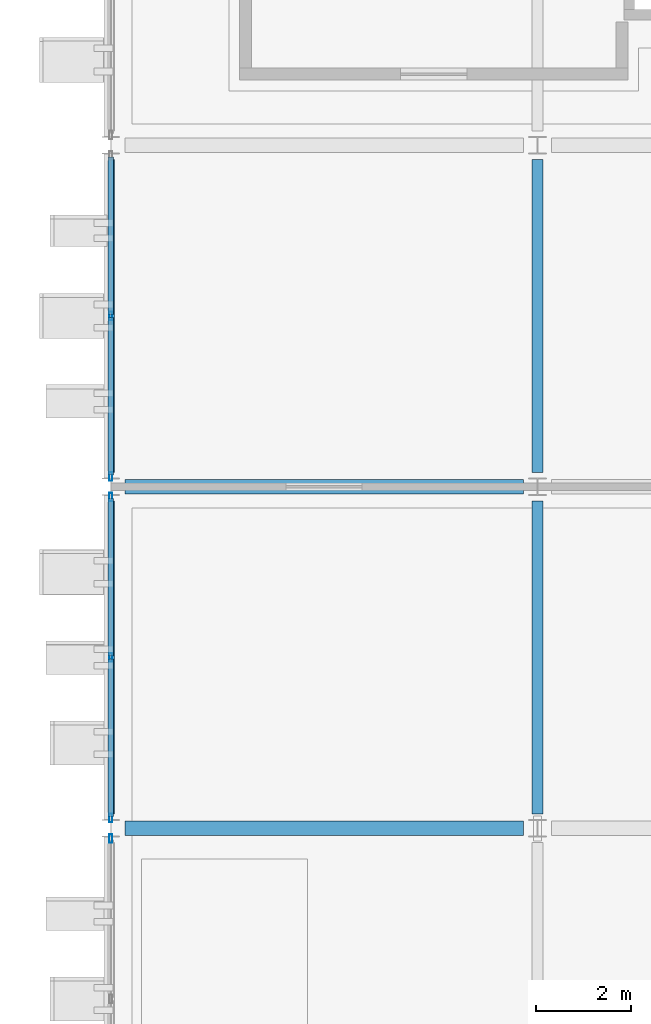
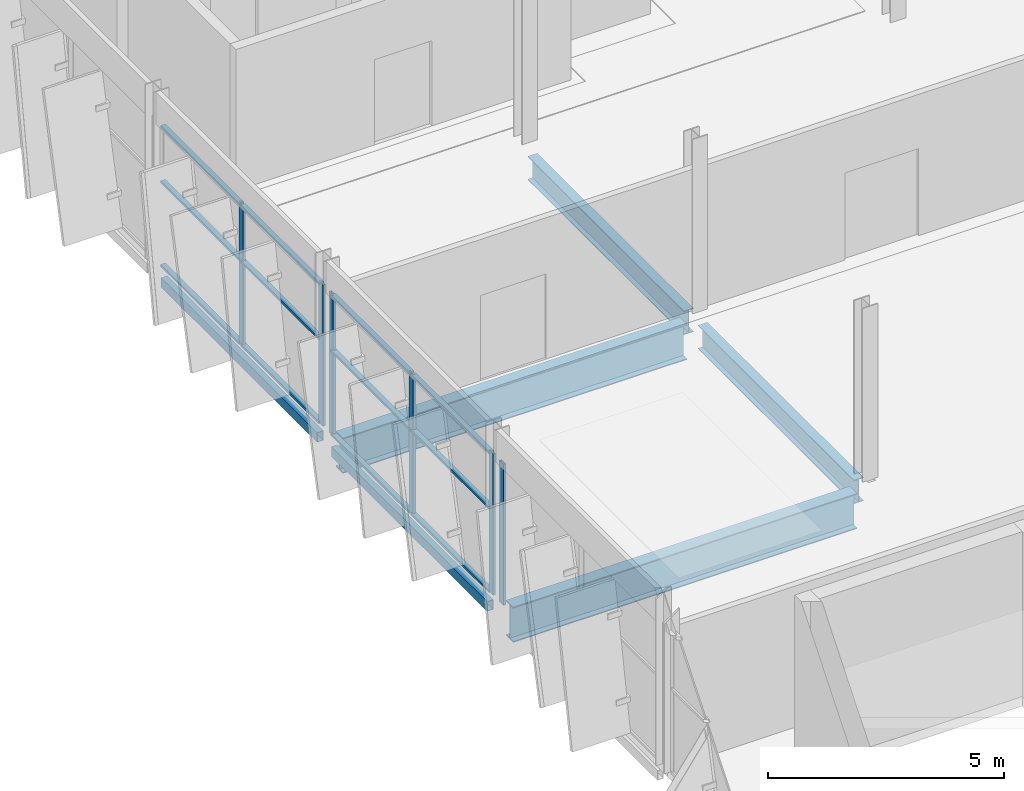
# One storey, part 28 of 78: 18 members, 6 beams, 3 elements without a shape of their own.
"""IFC4 building model written with IfcOpenShell, lengths in metres."""

from ifc_helpers import new_model, si_unit, direction, frame, origin, origin_2d, place, context, subcontext, project, spatial, hollow_rectangle, i_section, extrude, material, layer, layer_set, material_profile, profile_set, type_object, element, aggregate, save


model = new_model("IFC4")

# Units and contexts
model_context = context("Model", 3, precision=1e-05, world=origin(), true_north=direction((0.0, 1.0)))
body_context = subcontext(model_context, "Body", "Model", "MODEL_VIEW")
ifc_project = project(units=[si_unit("LENGTHUNIT", "METRE"), si_unit("AREAUNIT", "SQUARE_METRE"), si_unit("VOLUMEUNIT", "CUBIC_METRE"), si_unit("PLANEANGLEUNIT", "RADIAN"), si_unit("MASSUNIT", "GRAM", prefix="KILO")], contexts=[model_context])

# Site, building, storey
site_placement = place(None, origin())
site = spatial("IfcSite", under=ifc_project, at=site_placement, CompositionType="ELEMENT")
building_placement = place(site_placement, origin())
building = spatial("IfcBuilding", under=site, at=building_placement, Name="Celestram Park Convention Centre", CompositionType="ELEMENT")
storey_placement = place(building_placement, frame((0.0, 0.0, 19.800048828125)))
storey = spatial("IfcBuildingStorey", under=building, at=storey_placement, Name="L04", CompositionType="ELEMENT", Elevation=19.800048828125)

# Curtain wall, member
ifc_material_1 = material(Name="Anodised Aluminium Alloy 6063-T6", Category="aluminium")
ifc_layer = layer(ifc_material_1, 0.179931640625)
ifc_layer_set = layer_set([ifc_layer], Name="Anodised Aluminium Alloy 6063-T6")
curtain_wall_type = type_object("IfcCurtainWallType", Name="ARC-CW-683X365", PredefinedType="NOTDEFINED", material=ifc_layer_set)
curtain_wall_1_placement = place(storey_placement, origin())
curtain_wall_1 = element("IfcCurtainWall", 1, at=curtain_wall_1_placement, inside=storey, type_object=curtain_wall_type, Name="Unitised curtain wall CU-L04-231", PredefinedType="NOTDEFINED")
ifc_material_profile_1 = material_profile(ifc_material_1, hollow_rectangle(XDim=0.06494140625, YDim=0.179931640625, WallThickness=0.00390625, at=origin_2d()), Name="ALU65X180X4")
ifc_profile_set_1 = profile_set([ifc_material_profile_1], Name="Anodised Aluminium Alloy 6063-T6")
member_type_1 = type_object("IfcMemberType", Name="ARC-CWM-150", PredefinedType="MULLION", material=ifc_profile_set_1)
member_1_placement = place(storey_placement, frame((36.0, 129.383056640625, 0.0), z_axis=(0.0, 0.0, 1.0), x_axis=(-1.0, 0.0, 0.0)))
member_1 = element("IfcMember", 2, at=member_1_placement, type_object=member_type_1, Name="CW-68X36 mullion 3", PredefinedType="MULLION", context=body_context, shape_type="SweptSolid", body=[
    extrude(hollow_rectangle(XDim=0.06494140625, YDim=0.179931640625, WallThickness=0.00390625, at=origin_2d()), origin(), (0.0, 0.0, 1.0), 3.64794921875),
])
aggregate(curtain_wall_1, [member_1])

# Curtain wall, members
curtain_wall_2_placement = place(storey_placement, origin())
curtain_wall_2 = element("IfcCurtainWall", 3, at=curtain_wall_2_placement, inside=storey, type_object=curtain_wall_type, Name="Unitised curtain wall CU-L04-232", PredefinedType="NOTDEFINED")
member_2_placement = place(storey_placement, frame((36.0, 129.81689453125, 0.0), z_axis=(0.0, 0.0, 1.0), x_axis=(-1.0, 0.0, 0.0)))
member_2 = element("IfcMember", 4, at=member_2_placement, type_object=member_type_1, Name="CW-68X36 mullion 1", PredefinedType="MULLION", context=body_context, shape_type="SweptSolid", body=[
    extrude(hollow_rectangle(XDim=0.06494140625, YDim=0.179931640625, WallThickness=0.00390625, at=origin_2d()), origin(), (0.0, 0.0, 1.0), 3.64794921875),
])
member_3_placement = place(storey_placement, frame((36.0, 133.199951171875, 0.0), z_axis=(0.0, 0.0, 1.0), x_axis=(-1.0, 0.0, 0.0)))
member_3 = element("IfcMember", 5, at=member_3_placement, type_object=member_type_1, Name="CW-68X36 mullion 2", PredefinedType="MULLION", context=body_context, shape_type="SweptSolid", body=[
    extrude(hollow_rectangle(XDim=0.06494140625, YDim=0.179931640625, WallThickness=0.00390625, at=origin_2d()), origin(), (0.0, 0.0, 1.0), 3.64794921875),
])
member_4_placement = place(storey_placement, frame((36.0, 136.5830078125, 0.0), z_axis=(0.0, 0.0, 1.0), x_axis=(-1.0, 0.0, 0.0)))
member_4 = element("IfcMember", 6, at=member_4_placement, type_object=member_type_1, Name="CW-68X36 mullion 3", PredefinedType="MULLION", context=body_context, shape_type="SweptSolid", body=[
    extrude(hollow_rectangle(XDim=0.06494140625, YDim=0.179931640625, WallThickness=0.00390625, at=origin_2d()), origin(), (0.0, 0.0, 1.0), 3.64794921875),
])

curtain_wall_3_placement = place(storey_placement, origin())
curtain_wall_3 = element("IfcCurtainWall", 7, at=curtain_wall_3_placement, inside=storey, type_object=curtain_wall_type, Name="Unitised curtain wall CU-L04-233", PredefinedType="NOTDEFINED")
member_5_placement = place(storey_placement, frame((36.0, 137.01708984375, 0.0), z_axis=(0.0, 0.0, 1.0), x_axis=(-1.0, 0.0, 0.0)))
member_5 = element("IfcMember", 8, at=member_5_placement, type_object=member_type_1, Name="CW-68X36 mullion 1", PredefinedType="MULLION", context=body_context, shape_type="SweptSolid", body=[
    extrude(hollow_rectangle(XDim=0.06494140625, YDim=0.179931640625, WallThickness=0.00390625, at=origin_2d()), origin(), (0.0, 0.0, 1.0), 3.64794921875),
])
member_6_placement = place(storey_placement, frame((36.0, 140.39990234375, 0.0), z_axis=(0.0, 0.0, 1.0), x_axis=(-1.0, 0.0, 0.0)))
member_6 = element("IfcMember", 9, at=member_6_placement, type_object=member_type_1, Name="CW-68X36 mullion 2", PredefinedType="MULLION", context=body_context, shape_type="SweptSolid", body=[
    extrude(hollow_rectangle(XDim=0.06494140625, YDim=0.179931640625, WallThickness=0.00390625, at=origin_2d()), origin(), (0.0, 0.0, 1.0), 3.64794921875),
])

# Member
ifc_material_profile_2 = material_profile(ifc_material_1, hollow_rectangle(XDim=0.1201171875, YDim=0.06005859375, WallThickness=0.0029296875, at=origin_2d()), Name="ALU120X60X3")
ifc_profile_set_2 = profile_set([ifc_material_profile_2], Name="Anodised Aluminium Alloy 6063-T6")
member_type_2 = type_object("IfcMemberType", Name="ARC-CWT-120", PredefinedType="USERDEFINED", material=ifc_profile_set_2)
member_7_placement = place(storey_placement, frame((36.0, 129.849609375, 0.030029296875), z_axis=(0.0, 1.0, 0.0), x_axis=(-1.0, 0.0, 0.0)))
member_7 = element("IfcMember", 10, at=member_7_placement, type_object=member_type_2, Name="CW-68X36 transom 1.1", ObjectType="TRANSOM", PredefinedType="USERDEFINED", context=body_context, shape_type="SweptSolid", body=[
    extrude(hollow_rectangle(XDim=0.1201171875, YDim=0.06005859375, WallThickness=0.0029296875, at=origin_2d()), origin(), (0.0, 0.0, 1.0), 3.31787109375),
])

member_8_placement = place(storey_placement, frame((36.0, 129.849609375, 2.18896484375), z_axis=(0.0, 1.0, 0.0), x_axis=(-1.0, 0.0, 0.0)))
member_8 = element("IfcMember", 11, at=member_8_placement, type_object=member_type_2, Name="CW-68X36 transom 1.2", ObjectType="TRANSOM", PredefinedType="USERDEFINED", context=body_context, shape_type="SweptSolid", body=[
    extrude(hollow_rectangle(XDim=0.1201171875, YDim=0.06005859375, WallThickness=0.0029296875, at=origin_2d()), origin(), (0.0, 0.0, 1.0), 3.31787109375),
])

member_9_placement = place(storey_placement, frame((36.0, 129.849609375, 3.617919921875), z_axis=(0.0, 1.0, 0.0), x_axis=(-1.0, 0.0, 0.0)))
member_9 = element("IfcMember", 12, at=member_9_placement, type_object=member_type_2, Name="CW-68X36 transom 1.3", ObjectType="TRANSOM", PredefinedType="USERDEFINED", context=body_context, shape_type="SweptSolid", body=[
    extrude(hollow_rectangle(XDim=0.1201171875, YDim=0.06005859375, WallThickness=0.0029296875, at=origin_2d()), origin(), (0.0, 0.0, 1.0), 3.31787109375),
])

member_10_placement = place(storey_placement, frame((36.0, 133.232421875, 0.030029296875), z_axis=(0.0, 1.0, 0.0), x_axis=(-1.0, 0.0, 0.0)))
member_10 = element("IfcMember", 13, at=member_10_placement, type_object=member_type_2, Name="CW-68X36 transom 2.1", ObjectType="TRANSOM", PredefinedType="USERDEFINED", context=body_context, shape_type="SweptSolid", body=[
    extrude(hollow_rectangle(XDim=0.1201171875, YDim=0.06005859375, WallThickness=0.0029296875, at=origin_2d()), origin(), (0.0, 0.0, 1.0), 3.318115234375),
])

member_11_placement = place(storey_placement, frame((36.0, 133.232421875, 2.18896484375), z_axis=(0.0, 1.0, 0.0), x_axis=(-1.0, 0.0, 0.0)))
member_11 = element("IfcMember", 14, at=member_11_placement, type_object=member_type_2, Name="CW-68X36 transom 2.2", ObjectType="TRANSOM", PredefinedType="USERDEFINED", context=body_context, shape_type="SweptSolid", body=[
    extrude(hollow_rectangle(XDim=0.1201171875, YDim=0.06005859375, WallThickness=0.0029296875, at=origin_2d()), origin(), (0.0, 0.0, 1.0), 3.318115234375),
])

member_12_placement = place(storey_placement, frame((36.0, 133.232421875, 3.617919921875), z_axis=(0.0, 1.0, 0.0), x_axis=(-1.0, 0.0, 0.0)))
member_12 = element("IfcMember", 15, at=member_12_placement, type_object=member_type_2, Name="CW-68X36 transom 2.3", ObjectType="TRANSOM", PredefinedType="USERDEFINED", context=body_context, shape_type="SweptSolid", body=[
    extrude(hollow_rectangle(XDim=0.1201171875, YDim=0.06005859375, WallThickness=0.0029296875, at=origin_2d()), origin(), (0.0, 0.0, 1.0), 3.318115234375),
])

aggregate(curtain_wall_2, [member_2, member_3, member_4, member_7, member_8, member_9, member_10, member_11, member_12])

member_13_placement = place(storey_placement, frame((36.0, 137.049560546875, 0.030029296875), z_axis=(0.0, 1.0, 0.0), x_axis=(-1.0, 0.0, 0.0)))
member_13 = element("IfcMember", 16, at=member_13_placement, type_object=member_type_2, Name="CW-68X36 transom 1.1", ObjectType="TRANSOM", PredefinedType="USERDEFINED", context=body_context, shape_type="SweptSolid", body=[
    extrude(hollow_rectangle(XDim=0.1201171875, YDim=0.06005859375, WallThickness=0.0029296875, at=origin_2d()), origin(), (0.0, 0.0, 1.0), 3.31787109375),
])

member_14_placement = place(storey_placement, frame((36.0, 137.049560546875, 2.18896484375), z_axis=(0.0, 1.0, 0.0), x_axis=(-1.0, 0.0, 0.0)))
member_14 = element("IfcMember", 17, at=member_14_placement, type_object=member_type_2, Name="CW-68X36 transom 1.2", ObjectType="TRANSOM", PredefinedType="USERDEFINED", context=body_context, shape_type="SweptSolid", body=[
    extrude(hollow_rectangle(XDim=0.1201171875, YDim=0.06005859375, WallThickness=0.0029296875, at=origin_2d()), origin(), (0.0, 0.0, 1.0), 3.31787109375),
])

member_15_placement = place(storey_placement, frame((36.0, 137.049560546875, 3.617919921875), z_axis=(0.0, 1.0, 0.0), x_axis=(-1.0, 0.0, 0.0)))
member_15 = element("IfcMember", 18, at=member_15_placement, type_object=member_type_2, Name="CW-68X36 transom 1.3", ObjectType="TRANSOM", PredefinedType="USERDEFINED", context=body_context, shape_type="SweptSolid", body=[
    extrude(hollow_rectangle(XDim=0.1201171875, YDim=0.06005859375, WallThickness=0.0029296875, at=origin_2d()), origin(), (0.0, 0.0, 1.0), 3.31787109375),
])

member_16_placement = place(storey_placement, frame((36.0, 140.4326171875, 0.030029296875), z_axis=(0.0, 1.0, 0.0), x_axis=(-1.0, 0.0, 0.0)))
member_16 = element("IfcMember", 19, at=member_16_placement, type_object=member_type_2, Name="CW-68X36 transom 2.1", ObjectType="TRANSOM", PredefinedType="USERDEFINED", context=body_context, shape_type="SweptSolid", body=[
    extrude(hollow_rectangle(XDim=0.1201171875, YDim=0.06005859375, WallThickness=0.0029296875, at=origin_2d()), origin(), (0.0, 0.0, 1.0), 3.31787109375),
])

member_17_placement = place(storey_placement, frame((36.0, 140.4326171875, 2.18896484375), z_axis=(0.0, 1.0, 0.0), x_axis=(-1.0, 0.0, 0.0)))
member_17 = element("IfcMember", 20, at=member_17_placement, type_object=member_type_2, Name="CW-68X36 transom 2.2", ObjectType="TRANSOM", PredefinedType="USERDEFINED", context=body_context, shape_type="SweptSolid", body=[
    extrude(hollow_rectangle(XDim=0.1201171875, YDim=0.06005859375, WallThickness=0.0029296875, at=origin_2d()), origin(), (0.0, 0.0, 1.0), 3.31787109375),
])

member_18_placement = place(storey_placement, frame((36.0, 140.4326171875, 3.617919921875), z_axis=(0.0, 1.0, 0.0), x_axis=(-1.0, 0.0, 0.0)))
member_18 = element("IfcMember", 21, at=member_18_placement, type_object=member_type_2, Name="CW-68X36 transom 2.3", ObjectType="TRANSOM", PredefinedType="USERDEFINED", context=body_context, shape_type="SweptSolid", body=[
    extrude(hollow_rectangle(XDim=0.1201171875, YDim=0.06005859375, WallThickness=0.0029296875, at=origin_2d()), origin(), (0.0, 0.0, 1.0), 3.31787109375),
])

aggregate(curtain_wall_3, [member_5, member_6, member_13, member_14, member_15, member_16, member_17, member_18])

# Beams
ifc_material_2 = material(Name="Steel ASTM A992 Grade 50", Category="steel")
ifc_material_profile_3 = material_profile(ifc_material_2, i_section(OverallWidth=0.22900390625, OverallDepth=0.612060546875, WebThickness=0.011962890625, FlangeThickness=0.01953125, at=origin_2d()), Name="W24X84")
ifc_profile_set_3 = profile_set([ifc_material_profile_3], Name="Steel ASTM A992 Grade 50")
beam_type_1 = type_object("IfcBeamType", Name="STR-BM-W24X84", PredefinedType="BEAM", material=ifc_profile_set_3)
for number, where, z_axis, x_axis, name in (
    (22, (45.0, 129.89794921875, -0.55615234375), (0.0, 1.0, 0.0), (-1.0, 0.0, 0.0), "Primary Y-girder BG-L04-0021"),
    (23, (45.0, 137.097900390625, -0.55615234375), (0.0, 1.0, 0.0), (-1.0, 0.0, 0.0), "Primary Y-girder BG-L04-0023"),
):
    element("IfcBeam", number, at=place(storey_placement, frame(where, z_axis=z_axis, x_axis=x_axis)), inside=storey, type_object=beam_type_1, Name=name, PredefinedType="BEAM", context=body_context, shape_type="SweptSolid", body=[
        extrude(i_section(OverallWidth=0.22900390625, OverallDepth=0.612060546875, WebThickness=0.011962890625, FlangeThickness=0.01953125, at=origin_2d()), origin(), (0.0, 0.0, 1.0), 6.60400390625),
    ])
ifc_material_profile_4 = material_profile(ifc_material_2, i_section(OverallWidth=0.304931640625, OverallDepth=0.9140625, WebThickness=0.0166015625, FlangeThickness=0.02587890625, at=origin_2d()), Name="W36X160")
ifc_profile_set_4 = profile_set([ifc_material_profile_4], Name="Steel ASTM A992 Grade 50")
beam_type_2 = type_object("IfcBeamType", Name="STR-BM-W36X160", PredefinedType="BEAM", material=ifc_profile_set_4)
for number, where, z_axis, x_axis, name in (
    (24, (36.298095703125, 129.60009765625, -0.70703125), (1.0, 0.0, 0.0), (0.0, 1.0, 0.0), "Primary X-girder BG-L04-0006"),
    (25, (36.298095703125, 136.800048828125, -0.70703125), (1.0, 0.0, 0.0), (0.0, 1.0, 0.0), "Primary X-girder BG-L04-0008"),
):
    element("IfcBeam", number, at=place(storey_placement, frame(where, z_axis=z_axis, x_axis=x_axis)), inside=storey, type_object=beam_type_2, Name=name, PredefinedType="BEAM", context=body_context, shape_type="SweptSolid", body=[
        extrude(i_section(OverallWidth=0.304931640625, OverallDepth=0.9140625, WebThickness=0.0166015625, FlangeThickness=0.02587890625, at=origin_2d()), origin(), (0.0, 0.0, 1.0), 8.40380859375),
    ])
ifc_material_3 = material(Name="Steel ASTM A500 Grade C", Category="steel")
ifc_material_profile_5 = material_profile(ifc_material_3, hollow_rectangle(XDim=0.14990234375, YDim=0.25, WallThickness=0.010009765625, at=origin_2d()), Name="HSS250X150X10")
ifc_profile_set_5 = profile_set([ifc_material_profile_5], Name="Steel ASTM A500 Grade C")
beam_type_3 = type_object("IfcBeamType", Name="STR-SPN-HSS250X150", PredefinedType="SPANDREL", material=ifc_profile_set_5)
for number, where, z_axis, x_axis, name in (
    (26, (36.0, 129.89794921875, -0.375), (0.0, 1.0, 0.0), (-1.0, 0.0, 0.0), "Primary Y-girder BG-L04-0007"),
    (27, (36.0, 137.097900390625, -0.375), (0.0, 1.0, 0.0), (-1.0, 0.0, 0.0), "Primary Y-girder BG-L04-0009"),
):
    element("IfcBeam", number, at=place(storey_placement, frame(where, z_axis=z_axis, x_axis=x_axis)), inside=storey, type_object=beam_type_3, Name=name, PredefinedType="SPANDREL", context=body_context, shape_type="SweptSolid", body=[
        extrude(hollow_rectangle(XDim=0.14990234375, YDim=0.25, WallThickness=0.010009765625, at=origin_2d()), origin(), (0.0, 0.0, 1.0), 6.60400390625),
    ])

save(model, "model.ifc")
